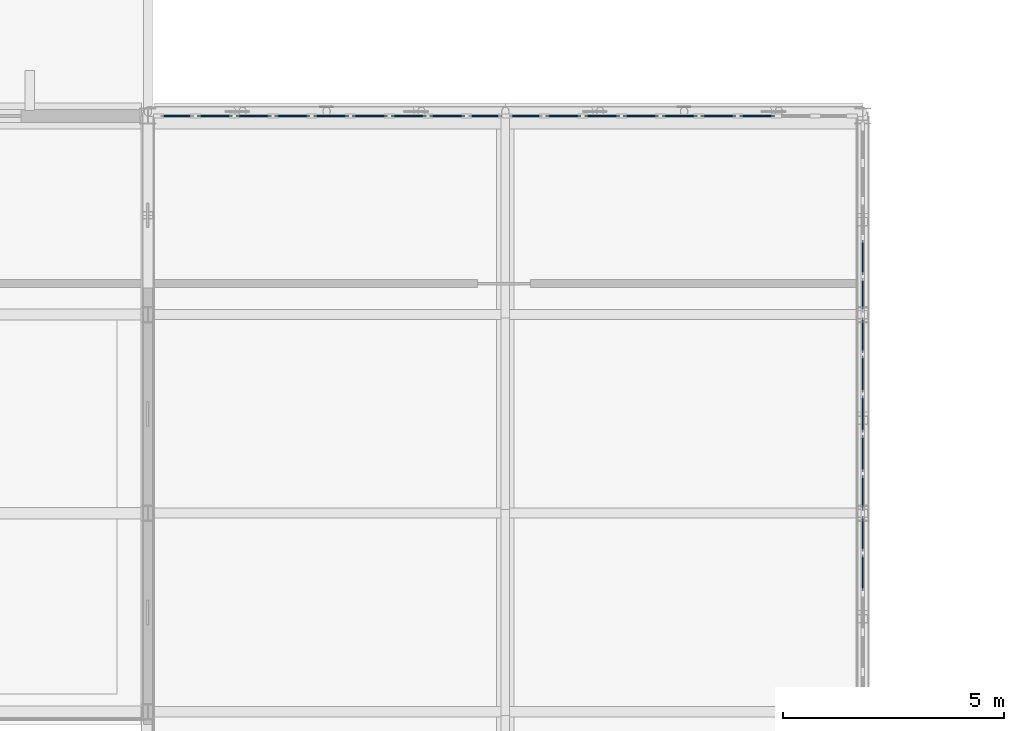
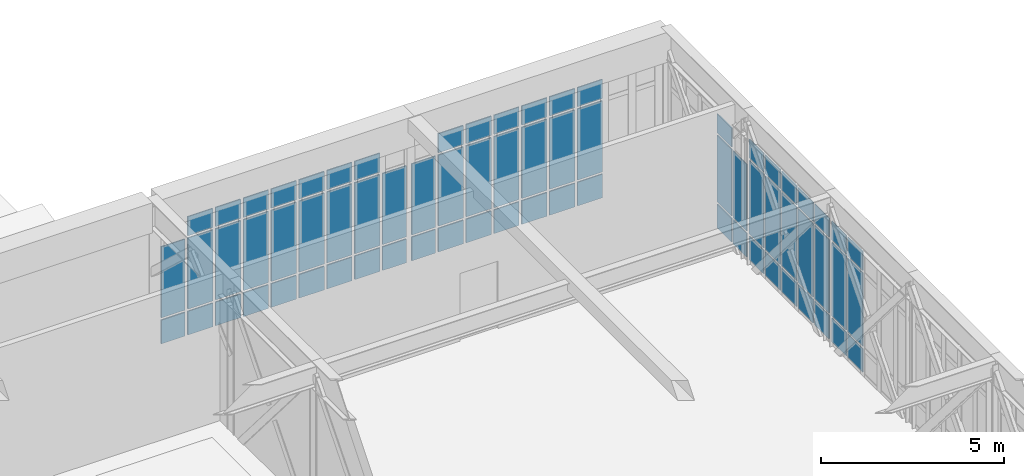
# One storey, part 45 of 70: 71 plates, 5 elements without a shape of their own.
"""IFC4 building model written with IfcOpenShell, lengths in metres."""

from ifc_helpers import new_model, si_unit, direction, frame, origin, origin_2d, place, context, subcontext, project, spatial, rectangle, extrude, material, layer, layer_set, type_object, element, aggregate, save


model = new_model("IFC4")

# Units and contexts
model_context = context("Model", 3, precision=1e-05, world=origin(), true_north=direction((0.0, 1.0)))
body_context = subcontext(model_context, "Body", "Model", "MODEL_VIEW")
ifc_project = project(units=[si_unit("LENGTHUNIT", "METRE"), si_unit("AREAUNIT", "SQUARE_METRE"), si_unit("VOLUMEUNIT", "CUBIC_METRE"), si_unit("PLANEANGLEUNIT", "RADIAN"), si_unit("MASSUNIT", "GRAM", prefix="KILO")], contexts=[model_context])

# Site, building, storey
site_placement = place(None, origin())
site = spatial("IfcSite", under=ifc_project, at=site_placement, CompositionType="ELEMENT")
building_placement = place(site_placement, origin())
building = spatial("IfcBuilding", under=site, at=building_placement, Name="Tarnveldt Square Police Headquarters", CompositionType="ELEMENT")
storey_placement = place(building_placement, frame((0.0, 0.0, 19.800048828125)))
storey = spatial("IfcBuildingStorey", under=building, at=storey_placement, Name="L04", CompositionType="ELEMENT", Elevation=19.800048828125)

# Curtain wall, plates
ifc_material_1 = material(Name="UL 752 Level III laminated ballistic vision glass", Category="glass")
curtain_wall_type_1 = type_object("IfcCurtainWallType", Name="CW-BL-790x409", PredefinedType="USERDEFINED", material=ifc_material_1)
curtain_wall_1_placement = place(storey_placement, origin())
curtain_wall_1 = element("IfcCurtainWall", 1, at=curtain_wall_1_placement, inside=storey, type_object=curtain_wall_type_1, Name="L04 Curtain Wall CW-L04-048", ObjectType="BALLISTIC CURTAIN WALL", PredefinedType="USERDEFINED")
ifc_layer_1 = layer(ifc_material_1, 0.0380859375)
ifc_layer_set_1 = layer_set([ifc_layer_1], Name="UL 752 Level III laminated ballistic vision glass")
plate_type_1 = type_object("IfcPlateType", Name="CWP-BAL-38", PredefinedType="CURTAIN_PANEL", material=ifc_layer_set_1)
plate_1_placement = place(storey_placement, frame((49.261962890625, 34.0, 0.074951171875), z_axis=(0.0, 0.0, 1.0), x_axis=(1.0, 0.0, 0.0)))
plate_1 = element("IfcPlate", 2, at=plate_1_placement, type_object=plate_type_1, Name="CW-BL19 panel 1.1", PredefinedType="CURTAIN_PANEL", context=body_context, shape_type="SweptSolid", body=[
    extrude(rectangle(XDim=0.75, YDim=0.0380859375, at=origin_2d()), origin(), (0.0, 0.0, 1.0), 0.78759765625),
])
plate_2_placement = place(storey_placement, frame((49.261962890625, 34.0, 0.9375), z_axis=(0.0, 0.0, 1.0), x_axis=(1.0, 0.0, 0.0)))
plate_2 = element("IfcPlate", 3, at=plate_2_placement, type_object=plate_type_1, Name="CW-BL19 panel 1.2", PredefinedType="CURTAIN_PANEL", context=body_context, shape_type="SweptSolid", body=[
    extrude(rectangle(XDim=0.75, YDim=0.0380859375, at=origin_2d()), origin(), (0.0, 0.0, 1.0), 2.366943359375),
])
plate_3_placement = place(storey_placement, frame((50.118408203125, 34.0, 0.074951171875), z_axis=(0.0, 0.0, 1.0), x_axis=(1.0, 0.0, 0.0)))
plate_3 = element("IfcPlate", 4, at=plate_3_placement, type_object=plate_type_1, Name="CW-BL19 panel 2.1", PredefinedType="CURTAIN_PANEL", context=body_context, shape_type="SweptSolid", body=[
    extrude(rectangle(XDim=0.79248046875, YDim=0.0380859375, at=origin_2d()), origin(), (0.0, 0.0, 1.0), 0.78759765625),
])
plate_4_placement = place(storey_placement, frame((50.118408203125, 34.0, 0.9375), z_axis=(0.0, 0.0, 1.0), x_axis=(1.0, 0.0, 0.0)))
plate_4 = element("IfcPlate", 5, at=plate_4_placement, type_object=plate_type_1, Name="CW-BL19 panel 2.2", PredefinedType="CURTAIN_PANEL", context=body_context, shape_type="SweptSolid", body=[
    extrude(rectangle(XDim=0.79248046875, YDim=0.0380859375, at=origin_2d()), origin(), (0.0, 0.0, 1.0), 2.366943359375),
])
plate_5_placement = place(storey_placement, frame((50.118408203125, 34.0, 3.37939453125), z_axis=(0.0, 0.0, 1.0), x_axis=(1.0, 0.0, 0.0)))
plate_5 = element("IfcPlate", 6, at=plate_5_placement, type_object=plate_type_1, Name="CW-BL19 panel 2.3", PredefinedType="CURTAIN_PANEL", context=body_context, shape_type="SweptSolid", body=[
    extrude(rectangle(XDim=0.79248046875, YDim=0.0380859375, at=origin_2d()), origin(), (0.0, 0.0, 1.0), 0.637451171875),
])
plate_6_placement = place(storey_placement, frame((50.995849609375, 34.0, 0.074951171875), z_axis=(0.0, 0.0, 1.0), x_axis=(1.0, 0.0, 0.0)))
plate_6 = element("IfcPlate", 7, at=plate_6_placement, type_object=plate_type_1, Name="CW-BL19 panel 3.1", PredefinedType="CURTAIN_PANEL", context=body_context, shape_type="SweptSolid", body=[
    extrude(rectangle(XDim=0.79248046875, YDim=0.0380859375, at=origin_2d()), origin(), (0.0, 0.0, 1.0), 0.78759765625),
])
plate_7_placement = place(storey_placement, frame((50.995849609375, 34.0, 0.9375), z_axis=(0.0, 0.0, 1.0), x_axis=(1.0, 0.0, 0.0)))
plate_7 = element("IfcPlate", 8, at=plate_7_placement, type_object=plate_type_1, Name="CW-BL19 panel 3.2", PredefinedType="CURTAIN_PANEL", context=body_context, shape_type="SweptSolid", body=[
    extrude(rectangle(XDim=0.79248046875, YDim=0.0380859375, at=origin_2d()), origin(), (0.0, 0.0, 1.0), 2.366943359375),
])
plate_8_placement = place(storey_placement, frame((50.995849609375, 34.0, 3.37939453125), z_axis=(0.0, 0.0, 1.0), x_axis=(1.0, 0.0, 0.0)))
plate_8 = element("IfcPlate", 9, at=plate_8_placement, type_object=plate_type_1, Name="CW-BL19 panel 3.3", PredefinedType="CURTAIN_PANEL", context=body_context, shape_type="SweptSolid", body=[
    extrude(rectangle(XDim=0.79248046875, YDim=0.0380859375, at=origin_2d()), origin(), (0.0, 0.0, 1.0), 0.637451171875),
])
plate_9_placement = place(storey_placement, frame((51.87353515625, 34.0, 0.074951171875), z_axis=(0.0, 0.0, 1.0), x_axis=(1.0, 0.0, 0.0)))
plate_9 = element("IfcPlate", 10, at=plate_9_placement, type_object=plate_type_1, Name="CW-BL19 panel 4.1", PredefinedType="CURTAIN_PANEL", context=body_context, shape_type="SweptSolid", body=[
    extrude(rectangle(XDim=0.79248046875, YDim=0.0380859375, at=origin_2d()), origin(), (0.0, 0.0, 1.0), 0.78759765625),
])
plate_10_placement = place(storey_placement, frame((51.87353515625, 34.0, 0.9375), z_axis=(0.0, 0.0, 1.0), x_axis=(1.0, 0.0, 0.0)))
plate_10 = element("IfcPlate", 11, at=plate_10_placement, type_object=plate_type_1, Name="CW-BL19 panel 4.2", PredefinedType="CURTAIN_PANEL", context=body_context, shape_type="SweptSolid", body=[
    extrude(rectangle(XDim=0.79248046875, YDim=0.0380859375, at=origin_2d()), origin(), (0.0, 0.0, 1.0), 2.366943359375),
])
plate_11_placement = place(storey_placement, frame((51.87353515625, 34.0, 3.37939453125), z_axis=(0.0, 0.0, 1.0), x_axis=(1.0, 0.0, 0.0)))
plate_11 = element("IfcPlate", 12, at=plate_11_placement, type_object=plate_type_1, Name="CW-BL19 panel 4.3", PredefinedType="CURTAIN_PANEL", context=body_context, shape_type="SweptSolid", body=[
    extrude(rectangle(XDim=0.79248046875, YDim=0.0380859375, at=origin_2d()), origin(), (0.0, 0.0, 1.0), 0.637451171875),
])
plate_12_placement = place(storey_placement, frame((52.7509765625, 34.0, 0.074951171875), z_axis=(0.0, 0.0, 1.0), x_axis=(1.0, 0.0, 0.0)))
plate_12 = element("IfcPlate", 13, at=plate_12_placement, type_object=plate_type_1, Name="CW-BL19 panel 5.1", PredefinedType="CURTAIN_PANEL", context=body_context, shape_type="SweptSolid", body=[
    extrude(rectangle(XDim=0.79248046875, YDim=0.0380859375, at=origin_2d()), origin(), (0.0, 0.0, 1.0), 0.78759765625),
])
plate_13_placement = place(storey_placement, frame((52.7509765625, 34.0, 0.9375), z_axis=(0.0, 0.0, 1.0), x_axis=(1.0, 0.0, 0.0)))
plate_13 = element("IfcPlate", 14, at=plate_13_placement, type_object=plate_type_1, Name="CW-BL19 panel 5.2", PredefinedType="CURTAIN_PANEL", context=body_context, shape_type="SweptSolid", body=[
    extrude(rectangle(XDim=0.79248046875, YDim=0.0380859375, at=origin_2d()), origin(), (0.0, 0.0, 1.0), 2.366943359375),
])
plate_14_placement = place(storey_placement, frame((52.7509765625, 34.0, 3.37939453125), z_axis=(0.0, 0.0, 1.0), x_axis=(1.0, 0.0, 0.0)))
plate_14 = element("IfcPlate", 15, at=plate_14_placement, type_object=plate_type_1, Name="CW-BL19 panel 5.3", PredefinedType="CURTAIN_PANEL", context=body_context, shape_type="SweptSolid", body=[
    extrude(rectangle(XDim=0.79248046875, YDim=0.0380859375, at=origin_2d()), origin(), (0.0, 0.0, 1.0), 0.637451171875),
])
plate_15_placement = place(storey_placement, frame((53.628662109375, 34.0, 0.074951171875), z_axis=(0.0, 0.0, 1.0), x_axis=(1.0, 0.0, 0.0)))
plate_15 = element("IfcPlate", 16, at=plate_15_placement, type_object=plate_type_1, Name="CW-BL19 panel 6.1", PredefinedType="CURTAIN_PANEL", context=body_context, shape_type="SweptSolid", body=[
    extrude(rectangle(XDim=0.79248046875, YDim=0.0380859375, at=origin_2d()), origin(), (0.0, 0.0, 1.0), 0.78759765625),
])
plate_16_placement = place(storey_placement, frame((53.628662109375, 34.0, 0.9375), z_axis=(0.0, 0.0, 1.0), x_axis=(1.0, 0.0, 0.0)))
plate_16 = element("IfcPlate", 17, at=plate_16_placement, type_object=plate_type_1, Name="CW-BL19 panel 6.2", PredefinedType="CURTAIN_PANEL", context=body_context, shape_type="SweptSolid", body=[
    extrude(rectangle(XDim=0.79248046875, YDim=0.0380859375, at=origin_2d()), origin(), (0.0, 0.0, 1.0), 2.366943359375),
])
plate_17_placement = place(storey_placement, frame((53.628662109375, 34.0, 3.37939453125), z_axis=(0.0, 0.0, 1.0), x_axis=(1.0, 0.0, 0.0)))
plate_17 = element("IfcPlate", 18, at=plate_17_placement, type_object=plate_type_1, Name="CW-BL19 panel 6.3", PredefinedType="CURTAIN_PANEL", context=body_context, shape_type="SweptSolid", body=[
    extrude(rectangle(XDim=0.79248046875, YDim=0.0380859375, at=origin_2d()), origin(), (0.0, 0.0, 1.0), 0.637451171875),
])
plate_18_placement = place(storey_placement, frame((54.506103515625, 34.0, 0.074951171875), z_axis=(0.0, 0.0, 1.0), x_axis=(1.0, 0.0, 0.0)))
plate_18 = element("IfcPlate", 19, at=plate_18_placement, type_object=plate_type_1, Name="CW-BL19 panel 7.1", PredefinedType="CURTAIN_PANEL", context=body_context, shape_type="SweptSolid", body=[
    extrude(rectangle(XDim=0.79248046875, YDim=0.0380859375, at=origin_2d()), origin(), (0.0, 0.0, 1.0), 0.78759765625),
])
plate_19_placement = place(storey_placement, frame((54.506103515625, 34.0, 0.9375), z_axis=(0.0, 0.0, 1.0), x_axis=(1.0, 0.0, 0.0)))
plate_19 = element("IfcPlate", 20, at=plate_19_placement, type_object=plate_type_1, Name="CW-BL19 panel 7.2", PredefinedType="CURTAIN_PANEL", context=body_context, shape_type="SweptSolid", body=[
    extrude(rectangle(XDim=0.79248046875, YDim=0.0380859375, at=origin_2d()), origin(), (0.0, 0.0, 1.0), 2.366943359375),
])
plate_20_placement = place(storey_placement, frame((54.506103515625, 34.0, 3.37939453125), z_axis=(0.0, 0.0, 1.0), x_axis=(1.0, 0.0, 0.0)))
plate_20 = element("IfcPlate", 21, at=plate_20_placement, type_object=plate_type_1, Name="CW-BL19 panel 7.3", PredefinedType="CURTAIN_PANEL", context=body_context, shape_type="SweptSolid", body=[
    extrude(rectangle(XDim=0.79248046875, YDim=0.0380859375, at=origin_2d()), origin(), (0.0, 0.0, 1.0), 0.637451171875),
])
plate_21_placement = place(storey_placement, frame((55.383544921875, 34.0, 0.074951171875), z_axis=(0.0, 0.0, 1.0), x_axis=(1.0, 0.0, 0.0)))
plate_21 = element("IfcPlate", 22, at=plate_21_placement, type_object=plate_type_1, Name="CW-BL19 panel 8.1", PredefinedType="CURTAIN_PANEL", context=body_context, shape_type="SweptSolid", body=[
    extrude(rectangle(XDim=0.79248046875, YDim=0.0380859375, at=origin_2d()), origin(), (0.0, 0.0, 1.0), 0.78759765625),
])
plate_22_placement = place(storey_placement, frame((55.383544921875, 34.0, 0.9375), z_axis=(0.0, 0.0, 1.0), x_axis=(1.0, 0.0, 0.0)))
plate_22 = element("IfcPlate", 23, at=plate_22_placement, type_object=plate_type_1, Name="CW-BL19 panel 8.2", PredefinedType="CURTAIN_PANEL", context=body_context, shape_type="SweptSolid", body=[
    extrude(rectangle(XDim=0.79248046875, YDim=0.0380859375, at=origin_2d()), origin(), (0.0, 0.0, 1.0), 2.366943359375),
])
plate_23_placement = place(storey_placement, frame((55.383544921875, 34.0, 3.37939453125), z_axis=(0.0, 0.0, 1.0), x_axis=(1.0, 0.0, 0.0)))
plate_23 = element("IfcPlate", 24, at=plate_23_placement, type_object=plate_type_1, Name="CW-BL19 panel 8.3", PredefinedType="CURTAIN_PANEL", context=body_context, shape_type="SweptSolid", body=[
    extrude(rectangle(XDim=0.79248046875, YDim=0.0380859375, at=origin_2d()), origin(), (0.0, 0.0, 1.0), 0.637451171875),
])
plate_24_placement = place(storey_placement, frame((56.239990234375, 34.0, 0.074951171875), z_axis=(0.0, 0.0, 1.0), x_axis=(1.0, 0.0, 0.0)))
plate_24 = element("IfcPlate", 25, at=plate_24_placement, type_object=plate_type_1, Name="CW-BL19 panel 9.1", PredefinedType="CURTAIN_PANEL", context=body_context, shape_type="SweptSolid", body=[
    extrude(rectangle(XDim=0.75, YDim=0.0380859375, at=origin_2d()), origin(), (0.0, 0.0, 1.0), 0.78759765625),
])
plate_25_placement = place(storey_placement, frame((56.239990234375, 34.0, 0.9375), z_axis=(0.0, 0.0, 1.0), x_axis=(1.0, 0.0, 0.0)))
plate_25 = element("IfcPlate", 26, at=plate_25_placement, type_object=plate_type_1, Name="CW-BL19 panel 9.2", PredefinedType="CURTAIN_PANEL", context=body_context, shape_type="SweptSolid", body=[
    extrude(rectangle(XDim=0.75, YDim=0.0380859375, at=origin_2d()), origin(), (0.0, 0.0, 1.0), 2.366943359375),
])
aggregate(curtain_wall_1, [plate_1, plate_2, plate_3, plate_4, plate_5, plate_6, plate_7, plate_8, plate_9, plate_10, plate_11, plate_12, plate_13, plate_14, plate_15, plate_16, plate_17, plate_18, plate_19, plate_20, plate_21, plate_22, plate_23, plate_24, plate_25])

curtain_wall_2_placement = place(storey_placement, origin())
curtain_wall_2 = element("IfcCurtainWall", 27, at=curtain_wall_2_placement, inside=storey, type_object=curtain_wall_type_1, Name="L04 Curtain Wall CW-L04-049", ObjectType="BALLISTIC CURTAIN WALL", PredefinedType="USERDEFINED")
plate_26_placement = place(storey_placement, frame((57.159912109375, 34.0, 0.074951171875), z_axis=(0.0, 0.0, 1.0), x_axis=(1.0, 0.0, 0.0)))
plate_26 = element("IfcPlate", 28, at=plate_26_placement, type_object=plate_type_1, Name="CW-BL19 panel 1.1", PredefinedType="CURTAIN_PANEL", context=body_context, shape_type="SweptSolid", body=[
    extrude(rectangle(XDim=0.75, YDim=0.0380859375, at=origin_2d()), origin(), (0.0, 0.0, 1.0), 0.78759765625),
])
plate_27_placement = place(storey_placement, frame((57.159912109375, 34.0, 0.9375), z_axis=(0.0, 0.0, 1.0), x_axis=(1.0, 0.0, 0.0)))
plate_27 = element("IfcPlate", 29, at=plate_27_placement, type_object=plate_type_1, Name="CW-BL19 panel 1.2", PredefinedType="CURTAIN_PANEL", context=body_context, shape_type="SweptSolid", body=[
    extrude(rectangle(XDim=0.75, YDim=0.0380859375, at=origin_2d()), origin(), (0.0, 0.0, 1.0), 2.366943359375),
])
plate_28_placement = place(storey_placement, frame((58.016357421875, 34.0, 0.074951171875), z_axis=(0.0, 0.0, 1.0), x_axis=(1.0, 0.0, 0.0)))
plate_28 = element("IfcPlate", 30, at=plate_28_placement, type_object=plate_type_1, Name="CW-BL19 panel 2.1", PredefinedType="CURTAIN_PANEL", context=body_context, shape_type="SweptSolid", body=[
    extrude(rectangle(XDim=0.79248046875, YDim=0.0380859375, at=origin_2d()), origin(), (0.0, 0.0, 1.0), 0.78759765625),
])
plate_29_placement = place(storey_placement, frame((58.016357421875, 34.0, 0.9375), z_axis=(0.0, 0.0, 1.0), x_axis=(1.0, 0.0, 0.0)))
plate_29 = element("IfcPlate", 31, at=plate_29_placement, type_object=plate_type_1, Name="CW-BL19 panel 2.2", PredefinedType="CURTAIN_PANEL", context=body_context, shape_type="SweptSolid", body=[
    extrude(rectangle(XDim=0.79248046875, YDim=0.0380859375, at=origin_2d()), origin(), (0.0, 0.0, 1.0), 2.366943359375),
])
plate_30_placement = place(storey_placement, frame((58.016357421875, 34.0, 3.37939453125), z_axis=(0.0, 0.0, 1.0), x_axis=(1.0, 0.0, 0.0)))
plate_30 = element("IfcPlate", 32, at=plate_30_placement, type_object=plate_type_1, Name="CW-BL19 panel 2.3", PredefinedType="CURTAIN_PANEL", context=body_context, shape_type="SweptSolid", body=[
    extrude(rectangle(XDim=0.79248046875, YDim=0.0380859375, at=origin_2d()), origin(), (0.0, 0.0, 1.0), 0.637451171875),
])
plate_31_placement = place(storey_placement, frame((58.893798828125, 34.0, 0.074951171875), z_axis=(0.0, 0.0, 1.0), x_axis=(1.0, 0.0, 0.0)))
plate_31 = element("IfcPlate", 33, at=plate_31_placement, type_object=plate_type_1, Name="CW-BL19 panel 3.1", PredefinedType="CURTAIN_PANEL", context=body_context, shape_type="SweptSolid", body=[
    extrude(rectangle(XDim=0.79248046875, YDim=0.0380859375, at=origin_2d()), origin(), (0.0, 0.0, 1.0), 0.78759765625),
])
plate_32_placement = place(storey_placement, frame((58.893798828125, 34.0, 0.9375), z_axis=(0.0, 0.0, 1.0), x_axis=(1.0, 0.0, 0.0)))
plate_32 = element("IfcPlate", 34, at=plate_32_placement, type_object=plate_type_1, Name="CW-BL19 panel 3.2", PredefinedType="CURTAIN_PANEL", context=body_context, shape_type="SweptSolid", body=[
    extrude(rectangle(XDim=0.79248046875, YDim=0.0380859375, at=origin_2d()), origin(), (0.0, 0.0, 1.0), 2.366943359375),
])
plate_33_placement = place(storey_placement, frame((58.893798828125, 34.0, 3.37939453125), z_axis=(0.0, 0.0, 1.0), x_axis=(1.0, 0.0, 0.0)))
plate_33 = element("IfcPlate", 35, at=plate_33_placement, type_object=plate_type_1, Name="CW-BL19 panel 3.3", PredefinedType="CURTAIN_PANEL", context=body_context, shape_type="SweptSolid", body=[
    extrude(rectangle(XDim=0.79248046875, YDim=0.0380859375, at=origin_2d()), origin(), (0.0, 0.0, 1.0), 0.637451171875),
])
plate_34_placement = place(storey_placement, frame((59.771484375, 34.0, 0.074951171875), z_axis=(0.0, 0.0, 1.0), x_axis=(1.0, 0.0, 0.0)))
plate_34 = element("IfcPlate", 36, at=plate_34_placement, type_object=plate_type_1, Name="CW-BL19 panel 4.1", PredefinedType="CURTAIN_PANEL", context=body_context, shape_type="SweptSolid", body=[
    extrude(rectangle(XDim=0.79248046875, YDim=0.0380859375, at=origin_2d()), origin(), (0.0, 0.0, 1.0), 0.78759765625),
])
plate_35_placement = place(storey_placement, frame((59.771484375, 34.0, 0.9375), z_axis=(0.0, 0.0, 1.0), x_axis=(1.0, 0.0, 0.0)))
plate_35 = element("IfcPlate", 37, at=plate_35_placement, type_object=plate_type_1, Name="CW-BL19 panel 4.2", PredefinedType="CURTAIN_PANEL", context=body_context, shape_type="SweptSolid", body=[
    extrude(rectangle(XDim=0.79248046875, YDim=0.0380859375, at=origin_2d()), origin(), (0.0, 0.0, 1.0), 2.366943359375),
])
plate_36_placement = place(storey_placement, frame((59.771484375, 34.0, 3.37939453125), z_axis=(0.0, 0.0, 1.0), x_axis=(1.0, 0.0, 0.0)))
plate_36 = element("IfcPlate", 38, at=plate_36_placement, type_object=plate_type_1, Name="CW-BL19 panel 4.3", PredefinedType="CURTAIN_PANEL", context=body_context, shape_type="SweptSolid", body=[
    extrude(rectangle(XDim=0.79248046875, YDim=0.0380859375, at=origin_2d()), origin(), (0.0, 0.0, 1.0), 0.637451171875),
])
plate_37_placement = place(storey_placement, frame((60.64892578125, 34.0, 0.074951171875), z_axis=(0.0, 0.0, 1.0), x_axis=(1.0, 0.0, 0.0)))
plate_37 = element("IfcPlate", 39, at=plate_37_placement, type_object=plate_type_1, Name="CW-BL19 panel 5.1", PredefinedType="CURTAIN_PANEL", context=body_context, shape_type="SweptSolid", body=[
    extrude(rectangle(XDim=0.79248046875, YDim=0.0380859375, at=origin_2d()), origin(), (0.0, 0.0, 1.0), 0.78759765625),
])
plate_38_placement = place(storey_placement, frame((60.64892578125, 34.0, 0.9375), z_axis=(0.0, 0.0, 1.0), x_axis=(1.0, 0.0, 0.0)))
plate_38 = element("IfcPlate", 40, at=plate_38_placement, type_object=plate_type_1, Name="CW-BL19 panel 5.2", PredefinedType="CURTAIN_PANEL", context=body_context, shape_type="SweptSolid", body=[
    extrude(rectangle(XDim=0.79248046875, YDim=0.0380859375, at=origin_2d()), origin(), (0.0, 0.0, 1.0), 2.366943359375),
])
plate_39_placement = place(storey_placement, frame((60.64892578125, 34.0, 3.37939453125), z_axis=(0.0, 0.0, 1.0), x_axis=(1.0, 0.0, 0.0)))
plate_39 = element("IfcPlate", 41, at=plate_39_placement, type_object=plate_type_1, Name="CW-BL19 panel 5.3", PredefinedType="CURTAIN_PANEL", context=body_context, shape_type="SweptSolid", body=[
    extrude(rectangle(XDim=0.79248046875, YDim=0.0380859375, at=origin_2d()), origin(), (0.0, 0.0, 1.0), 0.637451171875),
])
plate_40_placement = place(storey_placement, frame((61.526611328125, 34.0, 0.074951171875), z_axis=(0.0, 0.0, 1.0), x_axis=(1.0, 0.0, 0.0)))
plate_40 = element("IfcPlate", 42, at=plate_40_placement, type_object=plate_type_1, Name="CW-BL19 panel 6.1", PredefinedType="CURTAIN_PANEL", context=body_context, shape_type="SweptSolid", body=[
    extrude(rectangle(XDim=0.79248046875, YDim=0.0380859375, at=origin_2d()), origin(), (0.0, 0.0, 1.0), 0.78759765625),
])
plate_41_placement = place(storey_placement, frame((61.526611328125, 34.0, 0.9375), z_axis=(0.0, 0.0, 1.0), x_axis=(1.0, 0.0, 0.0)))
plate_41 = element("IfcPlate", 43, at=plate_41_placement, type_object=plate_type_1, Name="CW-BL19 panel 6.2", PredefinedType="CURTAIN_PANEL", context=body_context, shape_type="SweptSolid", body=[
    extrude(rectangle(XDim=0.79248046875, YDim=0.0380859375, at=origin_2d()), origin(), (0.0, 0.0, 1.0), 2.366943359375),
])
plate_42_placement = place(storey_placement, frame((61.526611328125, 34.0, 3.37939453125), z_axis=(0.0, 0.0, 1.0), x_axis=(1.0, 0.0, 0.0)))
plate_42 = element("IfcPlate", 44, at=plate_42_placement, type_object=plate_type_1, Name="CW-BL19 panel 6.3", PredefinedType="CURTAIN_PANEL", context=body_context, shape_type="SweptSolid", body=[
    extrude(rectangle(XDim=0.79248046875, YDim=0.0380859375, at=origin_2d()), origin(), (0.0, 0.0, 1.0), 0.637451171875),
])
plate_43_placement = place(storey_placement, frame((62.404052734375, 34.0, 0.074951171875), z_axis=(0.0, 0.0, 1.0), x_axis=(1.0, 0.0, 0.0)))
plate_43 = element("IfcPlate", 45, at=plate_43_placement, type_object=plate_type_1, Name="CW-BL19 panel 7.1", PredefinedType="CURTAIN_PANEL", context=body_context, shape_type="SweptSolid", body=[
    extrude(rectangle(XDim=0.79248046875, YDim=0.0380859375, at=origin_2d()), origin(), (0.0, 0.0, 1.0), 0.78759765625),
])
plate_44_placement = place(storey_placement, frame((62.404052734375, 34.0, 0.9375), z_axis=(0.0, 0.0, 1.0), x_axis=(1.0, 0.0, 0.0)))
plate_44 = element("IfcPlate", 46, at=plate_44_placement, type_object=plate_type_1, Name="CW-BL19 panel 7.2", PredefinedType="CURTAIN_PANEL", context=body_context, shape_type="SweptSolid", body=[
    extrude(rectangle(XDim=0.79248046875, YDim=0.0380859375, at=origin_2d()), origin(), (0.0, 0.0, 1.0), 2.366943359375),
])
plate_45_placement = place(storey_placement, frame((62.404052734375, 34.0, 3.37939453125), z_axis=(0.0, 0.0, 1.0), x_axis=(1.0, 0.0, 0.0)))
plate_45 = element("IfcPlate", 47, at=plate_45_placement, type_object=plate_type_1, Name="CW-BL19 panel 7.3", PredefinedType="CURTAIN_PANEL", context=body_context, shape_type="SweptSolid", body=[
    extrude(rectangle(XDim=0.79248046875, YDim=0.0380859375, at=origin_2d()), origin(), (0.0, 0.0, 1.0), 0.637451171875),
])
aggregate(curtain_wall_2, [plate_26, plate_27, plate_28, plate_29, plate_30, plate_31, plate_32, plate_33, plate_34, plate_35, plate_36, plate_37, plate_38, plate_39, plate_40, plate_41, plate_42, plate_43, plate_44, plate_45])

ifc_material_2 = material(Name="Triple-glazed low-e laminated vision glass", Category="glass")
curtain_wall_type_2 = type_object("IfcCurtainWallType", Name="CW-LT-450x417", PredefinedType="USERDEFINED", material=ifc_material_2)
curtain_wall_3_placement = place(storey_placement, origin())
curtain_wall_3 = element("IfcCurtainWall", 48, at=curtain_wall_3_placement, inside=storey, type_object=curtain_wall_type_2, Name="L04 Curtain Wall CW-L04-059", ObjectType="GLAZED CURTAIN WALL", PredefinedType="USERDEFINED")
ifc_layer_2 = layer(ifc_material_2, 0.028076171875)
ifc_layer_set_2 = layer_set([ifc_layer_2], Name="Triple-glazed low-e laminated vision glass")
plate_type_2 = type_object("IfcPlateType", Name="CWP-VIS-28", PredefinedType="CURTAIN_PANEL", material=ifc_layer_set_2)
plate_46_placement = place(storey_placement, frame((64.800048828125, 23.64990234375, 0.074951171875), z_axis=(0.0, 0.0, 1.0), x_axis=(0.0, 1.0, 0.0)))
plate_46 = element("IfcPlate", 49, at=plate_46_placement, type_object=plate_type_2, Name="CW-LT22 panel 4.1", PredefinedType="CURTAIN_PANEL", context=body_context, shape_type="SweptSolid", body=[
    extrude(rectangle(XDim=0.824951171875, YDim=0.028076171875, at=origin_2d()), origin(), (0.0, 0.0, 1.0), 0.78759765625),
])
plate_47_placement = place(storey_placement, frame((64.800048828125, 23.64990234375, 0.9375), z_axis=(0.0, 0.0, 1.0), x_axis=(0.0, 1.0, 0.0)))
plate_47 = element("IfcPlate", 50, at=plate_47_placement, type_object=plate_type_2, Name="CW-LT22 panel 4.2", PredefinedType="CURTAIN_PANEL", context=body_context, shape_type="SweptSolid", body=[
    extrude(rectangle(XDim=0.824951171875, YDim=0.028076171875, at=origin_2d()), origin(), (0.0, 0.0, 1.0), 2.447998046875),
])
plate_48_placement = place(storey_placement, frame((64.800048828125, 23.64990234375, 3.46044921875), z_axis=(0.0, 0.0, 1.0), x_axis=(0.0, 1.0, 0.0)))
plate_48 = element("IfcPlate", 51, at=plate_48_placement, type_object=plate_type_2, Name="CW-LT22 panel 4.3", PredefinedType="CURTAIN_PANEL", context=body_context, shape_type="SweptSolid", body=[
    extrude(rectangle(XDim=0.824951171875, YDim=0.028076171875, at=origin_2d()), origin(), (0.0, 0.0, 1.0), 0.637451171875),
])
plate_49_placement = place(storey_placement, frame((64.800048828125, 24.53125, 0.074951171875), z_axis=(0.0, 0.0, 1.0), x_axis=(0.0, 1.0, 0.0)))
plate_49 = element("IfcPlate", 52, at=plate_49_placement, type_object=plate_type_2, Name="CW-LT22 panel 5.1", PredefinedType="CURTAIN_PANEL", context=body_context, shape_type="SweptSolid", body=[
    extrude(rectangle(XDim=0.78759765625, YDim=0.028076171875, at=origin_2d()), origin(), (0.0, 0.0, 1.0), 0.78759765625),
])
plate_50_placement = place(storey_placement, frame((64.800048828125, 24.53125, 0.9375), z_axis=(0.0, 0.0, 1.0), x_axis=(0.0, 1.0, 0.0)))
plate_50 = element("IfcPlate", 53, at=plate_50_placement, type_object=plate_type_2, Name="CW-LT22 panel 5.2", PredefinedType="CURTAIN_PANEL", context=body_context, shape_type="SweptSolid", body=[
    extrude(rectangle(XDim=0.78759765625, YDim=0.028076171875, at=origin_2d()), origin(), (0.0, 0.0, 1.0), 2.447998046875),
])
plate_51_placement = place(storey_placement, frame((64.800048828125, 24.53125, 3.46044921875), z_axis=(0.0, 0.0, 1.0), x_axis=(0.0, 1.0, 0.0)))
plate_51 = element("IfcPlate", 54, at=plate_51_placement, type_object=plate_type_2, Name="CW-LT22 panel 5.3", PredefinedType="CURTAIN_PANEL", context=body_context, shape_type="SweptSolid", body=[
    extrude(rectangle(XDim=0.78759765625, YDim=0.028076171875, at=origin_2d()), origin(), (0.0, 0.0, 1.0), 0.637451171875),
])
aggregate(curtain_wall_3, [plate_46, plate_47, plate_48, plate_49, plate_50, plate_51])

curtain_wall_4_placement = place(storey_placement, origin())
curtain_wall_4 = element("IfcCurtainWall", 55, at=curtain_wall_4_placement, inside=storey, type_object=curtain_wall_type_2, Name="L04 Curtain Wall CW-L04-060", ObjectType="GLAZED CURTAIN WALL", PredefinedType="USERDEFINED")
plate_52_placement = place(storey_placement, frame((64.800048828125, 25.46875, 0.074951171875), z_axis=(0.0, 0.0, 1.0), x_axis=(0.0, 1.0, 0.0)))
plate_52 = element("IfcPlate", 56, at=plate_52_placement, type_object=plate_type_2, Name="CW-LT22 panel 1.1", PredefinedType="CURTAIN_PANEL", context=body_context, shape_type="SweptSolid", body=[
    extrude(rectangle(XDim=0.78759765625, YDim=0.028076171875, at=origin_2d()), origin(), (0.0, 0.0, 1.0), 0.78759765625),
])
plate_53_placement = place(storey_placement, frame((64.800048828125, 25.46875, 0.9375), z_axis=(0.0, 0.0, 1.0), x_axis=(0.0, 1.0, 0.0)))
plate_53 = element("IfcPlate", 57, at=plate_53_placement, type_object=plate_type_2, Name="CW-LT22 panel 1.2", PredefinedType="CURTAIN_PANEL", context=body_context, shape_type="SweptSolid", body=[
    extrude(rectangle(XDim=0.78759765625, YDim=0.028076171875, at=origin_2d()), origin(), (0.0, 0.0, 1.0), 2.447998046875),
])
plate_54_placement = place(storey_placement, frame((64.800048828125, 25.46875, 3.46044921875), z_axis=(0.0, 0.0, 1.0), x_axis=(0.0, 1.0, 0.0)))
plate_54 = element("IfcPlate", 58, at=plate_54_placement, type_object=plate_type_2, Name="CW-LT22 panel 1.3", PredefinedType="CURTAIN_PANEL", context=body_context, shape_type="SweptSolid", body=[
    extrude(rectangle(XDim=0.78759765625, YDim=0.028076171875, at=origin_2d()), origin(), (0.0, 0.0, 1.0), 0.637451171875),
])
plate_55_placement = place(storey_placement, frame((64.800048828125, 26.35009765625, 0.074951171875), z_axis=(0.0, 0.0, 1.0), x_axis=(0.0, 1.0, 0.0)))
plate_55 = element("IfcPlate", 59, at=plate_55_placement, type_object=plate_type_2, Name="CW-LT22 panel 2.1", PredefinedType="CURTAIN_PANEL", context=body_context, shape_type="SweptSolid", body=[
    extrude(rectangle(XDim=0.824951171875, YDim=0.028076171875, at=origin_2d()), origin(), (0.0, 0.0, 1.0), 0.78759765625),
])
plate_56_placement = place(storey_placement, frame((64.800048828125, 26.35009765625, 0.9375), z_axis=(0.0, 0.0, 1.0), x_axis=(0.0, 1.0, 0.0)))
plate_56 = element("IfcPlate", 60, at=plate_56_placement, type_object=plate_type_2, Name="CW-LT22 panel 2.2", PredefinedType="CURTAIN_PANEL", context=body_context, shape_type="SweptSolid", body=[
    extrude(rectangle(XDim=0.824951171875, YDim=0.028076171875, at=origin_2d()), origin(), (0.0, 0.0, 1.0), 2.447998046875),
])
plate_57_placement = place(storey_placement, frame((64.800048828125, 26.35009765625, 3.46044921875), z_axis=(0.0, 0.0, 1.0), x_axis=(0.0, 1.0, 0.0)))
plate_57 = element("IfcPlate", 61, at=plate_57_placement, type_object=plate_type_2, Name="CW-LT22 panel 2.3", PredefinedType="CURTAIN_PANEL", context=body_context, shape_type="SweptSolid", body=[
    extrude(rectangle(XDim=0.824951171875, YDim=0.028076171875, at=origin_2d()), origin(), (0.0, 0.0, 1.0), 0.637451171875),
])
plate_58_placement = place(storey_placement, frame((64.800048828125, 27.25, 0.074951171875), z_axis=(0.0, 0.0, 1.0), x_axis=(0.0, 1.0, 0.0)))
plate_58 = element("IfcPlate", 62, at=plate_58_placement, type_object=plate_type_2, Name="CW-LT22 panel 3.1", PredefinedType="CURTAIN_PANEL", context=body_context, shape_type="SweptSolid", body=[
    extrude(rectangle(XDim=0.824951171875, YDim=0.028076171875, at=origin_2d()), origin(), (0.0, 0.0, 1.0), 0.78759765625),
])
plate_59_placement = place(storey_placement, frame((64.800048828125, 27.25, 0.9375), z_axis=(0.0, 0.0, 1.0), x_axis=(0.0, 1.0, 0.0)))
plate_59 = element("IfcPlate", 63, at=plate_59_placement, type_object=plate_type_2, Name="CW-LT22 panel 3.2", PredefinedType="CURTAIN_PANEL", context=body_context, shape_type="SweptSolid", body=[
    extrude(rectangle(XDim=0.824951171875, YDim=0.028076171875, at=origin_2d()), origin(), (0.0, 0.0, 1.0), 2.447998046875),
])
plate_60_placement = place(storey_placement, frame((64.800048828125, 27.25, 3.46044921875), z_axis=(0.0, 0.0, 1.0), x_axis=(0.0, 1.0, 0.0)))
plate_60 = element("IfcPlate", 64, at=plate_60_placement, type_object=plate_type_2, Name="CW-LT22 panel 3.3", PredefinedType="CURTAIN_PANEL", context=body_context, shape_type="SweptSolid", body=[
    extrude(rectangle(XDim=0.824951171875, YDim=0.028076171875, at=origin_2d()), origin(), (0.0, 0.0, 1.0), 0.637451171875),
])
plate_61_placement = place(storey_placement, frame((64.800048828125, 28.14990234375, 0.074951171875), z_axis=(0.0, 0.0, 1.0), x_axis=(0.0, 1.0, 0.0)))
plate_61 = element("IfcPlate", 65, at=plate_61_placement, type_object=plate_type_2, Name="CW-LT22 panel 4.1", PredefinedType="CURTAIN_PANEL", context=body_context, shape_type="SweptSolid", body=[
    extrude(rectangle(XDim=0.824951171875, YDim=0.028076171875, at=origin_2d()), origin(), (0.0, 0.0, 1.0), 0.78759765625),
])
plate_62_placement = place(storey_placement, frame((64.800048828125, 28.14990234375, 0.9375), z_axis=(0.0, 0.0, 1.0), x_axis=(0.0, 1.0, 0.0)))
plate_62 = element("IfcPlate", 66, at=plate_62_placement, type_object=plate_type_2, Name="CW-LT22 panel 4.2", PredefinedType="CURTAIN_PANEL", context=body_context, shape_type="SweptSolid", body=[
    extrude(rectangle(XDim=0.824951171875, YDim=0.028076171875, at=origin_2d()), origin(), (0.0, 0.0, 1.0), 2.447998046875),
])
plate_63_placement = place(storey_placement, frame((64.800048828125, 28.14990234375, 3.46044921875), z_axis=(0.0, 0.0, 1.0), x_axis=(0.0, 1.0, 0.0)))
plate_63 = element("IfcPlate", 67, at=plate_63_placement, type_object=plate_type_2, Name="CW-LT22 panel 4.3", PredefinedType="CURTAIN_PANEL", context=body_context, shape_type="SweptSolid", body=[
    extrude(rectangle(XDim=0.824951171875, YDim=0.028076171875, at=origin_2d()), origin(), (0.0, 0.0, 1.0), 0.637451171875),
])
plate_64_placement = place(storey_placement, frame((64.800048828125, 29.03125, 0.074951171875), z_axis=(0.0, 0.0, 1.0), x_axis=(0.0, 1.0, 0.0)))
plate_64 = element("IfcPlate", 68, at=plate_64_placement, type_object=plate_type_2, Name="CW-LT22 panel 5.1", PredefinedType="CURTAIN_PANEL", context=body_context, shape_type="SweptSolid", body=[
    extrude(rectangle(XDim=0.78759765625, YDim=0.028076171875, at=origin_2d()), origin(), (0.0, 0.0, 1.0), 0.78759765625),
])
plate_65_placement = place(storey_placement, frame((64.800048828125, 29.03125, 0.9375), z_axis=(0.0, 0.0, 1.0), x_axis=(0.0, 1.0, 0.0)))
plate_65 = element("IfcPlate", 69, at=plate_65_placement, type_object=plate_type_2, Name="CW-LT22 panel 5.2", PredefinedType="CURTAIN_PANEL", context=body_context, shape_type="SweptSolid", body=[
    extrude(rectangle(XDim=0.78759765625, YDim=0.028076171875, at=origin_2d()), origin(), (0.0, 0.0, 1.0), 2.447998046875),
])
plate_66_placement = place(storey_placement, frame((64.800048828125, 29.03125, 3.46044921875), z_axis=(0.0, 0.0, 1.0), x_axis=(0.0, 1.0, 0.0)))
plate_66 = element("IfcPlate", 70, at=plate_66_placement, type_object=plate_type_2, Name="CW-LT22 panel 5.3", PredefinedType="CURTAIN_PANEL", context=body_context, shape_type="SweptSolid", body=[
    extrude(rectangle(XDim=0.78759765625, YDim=0.028076171875, at=origin_2d()), origin(), (0.0, 0.0, 1.0), 0.637451171875),
])
aggregate(curtain_wall_4, [plate_52, plate_53, plate_54, plate_55, plate_56, plate_57, plate_58, plate_59, plate_60, plate_61, plate_62, plate_63, plate_64, plate_65, plate_66])

curtain_wall_type_3 = type_object("IfcCurtainWallType", Name="CW-LT-430x395", PredefinedType="USERDEFINED", material=ifc_material_2)
curtain_wall_5_placement = place(storey_placement, origin())
curtain_wall_5 = element("IfcCurtainWall", 71, at=curtain_wall_5_placement, inside=storey, type_object=curtain_wall_type_3, Name="L04 Curtain Wall CW-L04-061", ObjectType="GLAZED CURTAIN WALL", PredefinedType="USERDEFINED")
plate_67_placement = place(storey_placement, frame((64.800048828125, 29.948486328125, 0.074951171875), z_axis=(0.0, 0.0, 1.0), x_axis=(0.0, 1.0, 0.0)))
plate_67 = element("IfcPlate", 72, at=plate_67_placement, type_object=plate_type_2, Name="CW-LT23 panel 1.1", PredefinedType="CURTAIN_PANEL", context=body_context, shape_type="SweptSolid", body=[
    extrude(rectangle(XDim=0.7470703125, YDim=0.028076171875, at=origin_2d()), origin(), (0.0, 0.0, 1.0), 0.78759765625),
])
plate_68_placement = place(storey_placement, frame((64.800048828125, 29.948486328125, 0.9375), z_axis=(0.0, 0.0, 1.0), x_axis=(0.0, 1.0, 0.0)))
plate_68 = element("IfcPlate", 73, at=plate_68_placement, type_object=plate_type_2, Name="CW-LT23 panel 1.2", PredefinedType="CURTAIN_PANEL", context=body_context, shape_type="SweptSolid", body=[
    extrude(rectangle(XDim=0.7470703125, YDim=0.028076171875, at=origin_2d()), origin(), (0.0, 0.0, 1.0), 2.22705078125),
])
plate_69_placement = place(storey_placement, frame((64.800048828125, 30.789306640625, 0.074951171875), z_axis=(0.0, 0.0, 1.0), x_axis=(0.0, 1.0, 0.0)))
plate_69 = element("IfcPlate", 74, at=plate_69_placement, type_object=plate_type_2, Name="CW-LT23 panel 2.1", PredefinedType="CURTAIN_PANEL", context=body_context, shape_type="SweptSolid", body=[
    extrude(rectangle(XDim=0.78466796875, YDim=0.028076171875, at=origin_2d()), origin(), (0.0, 0.0, 1.0), 0.78759765625),
])
plate_70_placement = place(storey_placement, frame((64.800048828125, 30.789306640625, 0.9375), z_axis=(0.0, 0.0, 1.0), x_axis=(0.0, 1.0, 0.0)))
plate_70 = element("IfcPlate", 75, at=plate_70_placement, type_object=plate_type_2, Name="CW-LT23 panel 2.2", PredefinedType="CURTAIN_PANEL", context=body_context, shape_type="SweptSolid", body=[
    extrude(rectangle(XDim=0.78466796875, YDim=0.028076171875, at=origin_2d()), origin(), (0.0, 0.0, 1.0), 2.22705078125),
])
plate_71_placement = place(storey_placement, frame((64.800048828125, 30.789306640625, 3.2392578125), z_axis=(0.0, 0.0, 1.0), x_axis=(0.0, 1.0, 0.0)))
plate_71 = element("IfcPlate", 76, at=plate_71_placement, type_object=plate_type_2, Name="CW-LT23 panel 2.3", PredefinedType="CURTAIN_PANEL", context=body_context, shape_type="SweptSolid", body=[
    extrude(rectangle(XDim=0.78466796875, YDim=0.028076171875, at=origin_2d()), origin(), (0.0, 0.0, 1.0), 0.637451171875),
])
aggregate(curtain_wall_5, [plate_67, plate_68, plate_69, plate_70, plate_71])

save(model, "model.ifc")
